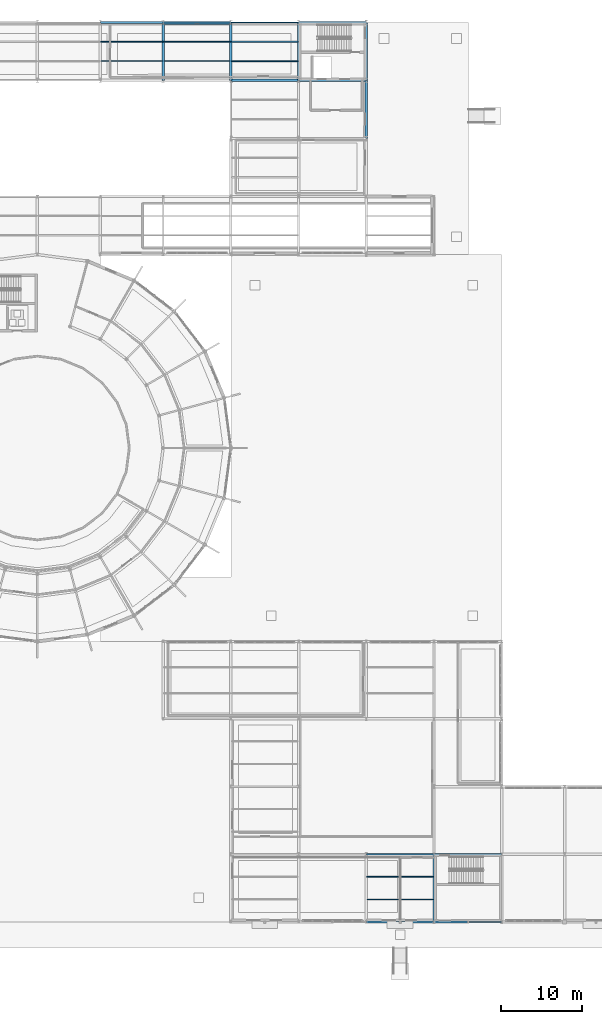
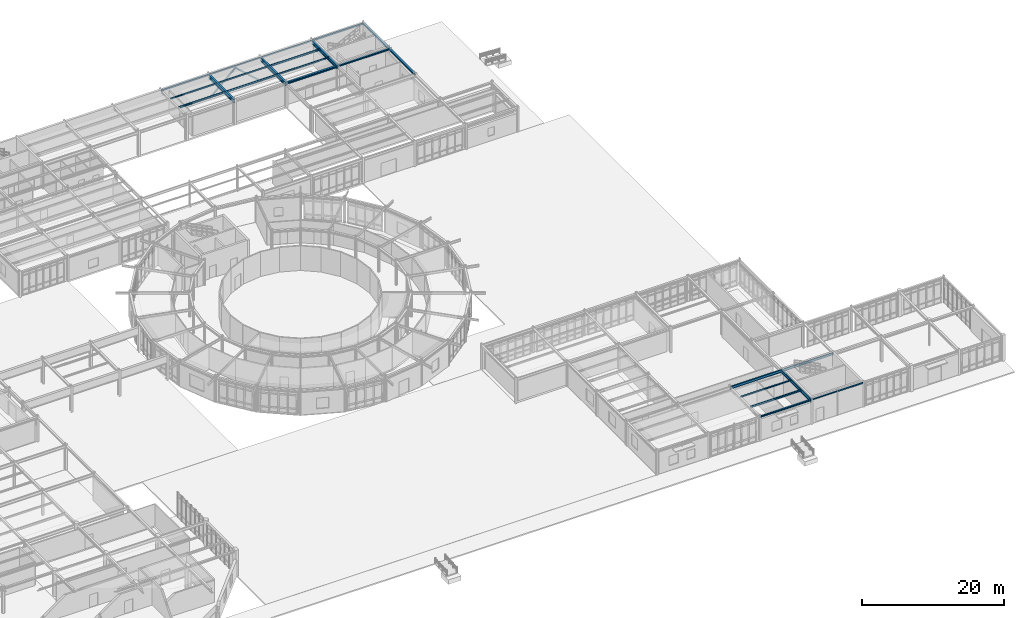
# One storey, part 50 of 101: 25 beams, 2 members.
"""IFC4 building model written with IfcOpenShell, lengths in metres."""

from ifc_helpers import new_model, si_unit, derived_unit, direction, frame, origin, origin_2d, place, context, subcontext, project, spatial, hollow_rectangle, i_section, extrude, material, material_profile, profile_set, type_object, element, save


model = new_model("IFC4")

# Units and contexts
model_context = context("Model", 3, precision=1e-05, world=origin(), true_north=direction((0.0, 1.0)))
body_context = subcontext(model_context, "Body", "Model", "MODEL_VIEW")
ifc_project = project(units=[si_unit("LENGTHUNIT", "METRE"), si_unit("AREAUNIT", "SQUARE_METRE"), si_unit("VOLUMEUNIT", "CUBIC_METRE"), si_unit("PLANEANGLEUNIT", "RADIAN"), si_unit("MASSUNIT", "GRAM", prefix="KILO"), derived_unit("THERMALTRANSMITTANCEUNIT", [(si_unit("POWERUNIT", "WATT"), 1), (si_unit("AREAUNIT", "SQUARE_METRE"), -1), (si_unit("THERMODYNAMICTEMPERATUREUNIT", "KELVIN"), -1)])], contexts=[model_context])

# Site, building, storey
site_placement = place(None, origin())
site = spatial("IfcSite", under=ifc_project, at=site_placement, CompositionType="ELEMENT")
building_placement = place(site_placement, origin())
building = spatial("IfcBuilding", under=site, at=building_placement, Name="Yasenodar Specialist Clinic", CompositionType="ELEMENT")
storey_placement = place(building_placement, origin())
storey = spatial("IfcBuildingStorey", under=building, at=storey_placement, Name="L00", CompositionType="ELEMENT", Elevation=0.0)

# Beams
ifc_material = material(Name="Steel S355", Category="steel")
ifc_material_profile_1 = material_profile(ifc_material, i_section(OverallWidth=0.280029296875, OverallDepth=0.27001953125, WebThickness=0.008056640625, FlangeThickness=0.012939453125, FilletRadius=0.02392578125, at=origin_2d()), Name="HEA 280")
ifc_profile_set_1 = profile_set([ifc_material_profile_1], Name="Steel S355")
beam_type_1 = type_object("IfcBeamType", Name="BM-HEA280", PredefinedType="BEAM", material=ifc_profile_set_1)
beam_1_placement = place(storey_placement, frame((113.39990234375, 104.39990234375, 4.114990234375), z_axis=(1.0, 0.0, 0.0), x_axis=(0.0, 1.0, 0.0)))
element("IfcBeam", 1, at=beam_1_placement, inside=storey, type_object=beam_type_1, Name="L00 Primary E-W Girder", PredefinedType="BEAM", context=body_context, shape_type="SweptSolid", body=[
    extrude(i_section(OverallWidth=0.280029296875, OverallDepth=0.27001953125, WebThickness=0.008056640625, FlangeThickness=0.012939453125, FilletRadius=0.02392578125, at=origin_2d()), origin(), (0.0, 0.0, 1.0), 8.400146484375),
])
ifc_material_profile_2 = material_profile(ifc_material, i_section(OverallWidth=0.300048828125, OverallDepth=0.2900390625, WebThickness=0.008544921875, FlangeThickness=0.013916015625, FilletRadius=0.027099609375, at=origin_2d()), Name="HEA 300")
ifc_profile_set_2 = profile_set([ifc_material_profile_2], Name="Steel S355")
beam_type_2 = type_object("IfcBeamType", Name="BM-HEA300", PredefinedType="BEAM", material=ifc_profile_set_2)
beam_2_placement = place(storey_placement, frame((121.800048828125, 104.39990234375, 4.10498046875), z_axis=(0.0, 1.0, 0.0), x_axis=(-1.0, 0.0, 0.0)))
element("IfcBeam", 2, at=beam_2_placement, inside=storey, type_object=beam_type_2, Name="L00 Primary N-S Girder", PredefinedType="BEAM", context=body_context, shape_type="SweptSolid", body=[
    extrude(i_section(OverallWidth=0.300048828125, OverallDepth=0.2900390625, WebThickness=0.008544921875, FlangeThickness=0.013916015625, FilletRadius=0.027099609375, at=origin_2d()), origin(), (0.0, 0.0, 1.0), 7.2001953125),
])
ifc_material_profile_3 = material_profile(ifc_material, i_section(OverallWidth=0.300048828125, OverallDepth=0.330078125, WebThickness=0.009521484375, FlangeThickness=0.0166015625, FilletRadius=0.027099609375, at=origin_2d()), Name="HEA 340")
ifc_profile_set_3 = profile_set([ifc_material_profile_3], Name="Steel S355")
beam_type_3 = type_object("IfcBeamType", Name="BM-HEA340", PredefinedType="BEAM", material=ifc_profile_set_3)
beam_3_placement = place(storey_placement, frame((105.0, 104.39990234375, 4.0849609375), z_axis=(1.0, 0.0, 0.0), x_axis=(0.0, 1.0, 0.0)))
element("IfcBeam", 3, at=beam_3_placement, inside=storey, type_object=beam_type_3, Name="L00 Primary E-W Girder", PredefinedType="BEAM", context=body_context, shape_type="SweptSolid", body=[
    extrude(i_section(OverallWidth=0.300048828125, OverallDepth=0.330078125, WebThickness=0.009521484375, FlangeThickness=0.0166015625, FilletRadius=0.027099609375, at=origin_2d()), origin(), (0.0, 0.0, 1.0), 8.39990234375),
])
ifc_material_profile_4 = material_profile(ifc_material, i_section(OverallWidth=0.280029296875, OverallDepth=0.280029296875, WebThickness=0.010498046875, FlangeThickness=0.01806640625, FilletRadius=0.02392578125, at=origin_2d()), Name="HEB 280")
ifc_profile_set_4 = profile_set([ifc_material_profile_4], Name="Steel S355")
beam_type_4 = type_object("IfcBeamType", Name="BM-HEB280", PredefinedType="BEAM", material=ifc_profile_set_4)
beam_4_placement = place(storey_placement, frame((121.800048828125, 97.199951171875, 4.110107421875), z_axis=(0.0, 1.0, 0.0), x_axis=(-1.0, 0.0, 0.0)))
element("IfcBeam", 4, at=beam_4_placement, inside=storey, type_object=beam_type_4, Name="L00 Primary N-S Girder", PredefinedType="BEAM", context=body_context, shape_type="SweptSolid", body=[
    extrude(i_section(OverallWidth=0.280029296875, OverallDepth=0.280029296875, WebThickness=0.010498046875, FlangeThickness=0.01806640625, FilletRadius=0.02392578125, at=origin_2d()), origin(), (0.0, 0.0, 1.0), 7.199951171875),
])
ifc_material_profile_5 = material_profile(ifc_material, i_section(OverallWidth=0.300048828125, OverallDepth=0.60009765625, WebThickness=0.015380859375, FlangeThickness=0.030029296875, FilletRadius=0.027099609375, at=origin_2d()), Name="HEB 600")
ifc_profile_set_5 = profile_set([ifc_material_profile_5], Name="Steel S355")
beam_type_5 = type_object("IfcBeamType", Name="BM-HEB600", PredefinedType="BEAM", material=ifc_profile_set_5)
for number, where, z_axis, x_axis, name in (
    (5, (96.60009765625, 104.39990234375, 3.949951171875), (0.0, 1.0, 0.0), (-1.0, 0.0, 0.0), "L00 Primary N-S Girder"),
    (6, (105.0, 104.39990234375, 3.949951171875), (0.0, 1.0, 0.0), (-1.0, 0.0, 0.0), "L00 Primary N-S Girder"),
    (7, (113.39990234375, 104.39990234375, 3.949951171875), (0.0, 1.0, 0.0), (-1.0, 0.0, 0.0), "L00 Primary N-S Girder"),
):
    element("IfcBeam", number, at=place(storey_placement, frame(where, z_axis=z_axis, x_axis=x_axis)), inside=storey, type_object=beam_type_5, Name=name, PredefinedType="BEAM", context=body_context, shape_type="SweptSolid", body=[
        extrude(i_section(OverallWidth=0.300048828125, OverallDepth=0.60009765625, WebThickness=0.015380859375, FlangeThickness=0.030029296875, FilletRadius=0.027099609375, at=origin_2d()), origin(), (0.0, 0.0, 1.0), 7.2001953125),
    ])
ifc_material_profile_6 = material_profile(ifc_material, i_section(OverallWidth=0.179931640625, OverallDepth=0.39990234375, WebThickness=0.008544921875, FlangeThickness=0.013427734375, FilletRadius=0.02099609375, at=origin_2d()), Name="IPE 400")
ifc_profile_set_6 = profile_set([ifc_material_profile_6], Name="Steel S355")
beam_type_6 = type_object("IfcBeamType", Name="BM-IPE400", PredefinedType="BEAM", material=ifc_profile_set_6)
beam_5_placement = place(storey_placement, frame((130.199951171875, 8.39990234375, 4.050048828125), z_axis=(1.0, 0.0, 0.0), x_axis=(0.0, 1.0, 0.0)))
element("IfcBeam", 8, at=beam_5_placement, inside=storey, type_object=beam_type_6, Name="L00 Primary E-W Girder", PredefinedType="BEAM", context=body_context, shape_type="SweptSolid", body=[
    extrude(i_section(OverallWidth=0.179931640625, OverallDepth=0.39990234375, WebThickness=0.008544921875, FlangeThickness=0.013427734375, FilletRadius=0.02099609375, at=origin_2d()), origin(), (0.0, 0.0, 1.0), 8.400146484375),
])
ifc_material_profile_7 = material_profile(ifc_material, i_section(OverallWidth=0.18994140625, OverallDepth=0.449951171875, WebThickness=0.009521484375, FlangeThickness=0.0146484375, FilletRadius=0.02099609375, at=origin_2d()), Name="IPE 450")
ifc_profile_set_7 = profile_set([ifc_material_profile_7], Name="Steel S355")
beam_type_7 = type_object("IfcBeamType", Name="BM-IPE450", PredefinedType="BEAM", material=ifc_profile_set_7)
beam_6_placement = place(storey_placement, frame((121.800048828125, 8.39990234375, 4.02490234375), z_axis=(1.0, 0.0, 0.0), x_axis=(0.0, 1.0, 0.0)))
element("IfcBeam", 9, at=beam_6_placement, inside=storey, type_object=beam_type_7, Name="L00 Primary E-W Girder", PredefinedType="BEAM", context=body_context, shape_type="SweptSolid", body=[
    extrude(i_section(OverallWidth=0.18994140625, OverallDepth=0.449951171875, WebThickness=0.009521484375, FlangeThickness=0.0146484375, FilletRadius=0.02099609375, at=origin_2d()), origin(), (0.0, 0.0, 1.0), 8.39990234375),
])
ifc_material_profile_8 = material_profile(ifc_material, i_section(OverallWidth=0.2099609375, OverallDepth=0.550048828125, WebThickness=0.010986328125, FlangeThickness=0.01708984375, FilletRadius=0.02392578125, at=origin_2d()), Name="IPE 550")
ifc_profile_set_8 = profile_set([ifc_material_profile_8], Name="Steel S355")
beam_type_8 = type_object("IfcBeamType", Name="BM-IPE550", PredefinedType="BEAM", material=ifc_profile_set_8)
beam_7_placement = place(storey_placement, frame((130.199951171875, 0.0, 3.97509765625), z_axis=(0.0, 1.0, 0.0), x_axis=(-1.0, 0.0, 0.0)))
element("IfcBeam", 10, at=beam_7_placement, inside=storey, type_object=beam_type_8, Name="L00 Primary N-S Girder", PredefinedType="BEAM", context=body_context, shape_type="SweptSolid", body=[
    extrude(i_section(OverallWidth=0.2099609375, OverallDepth=0.550048828125, WebThickness=0.010986328125, FlangeThickness=0.01708984375, FilletRadius=0.02392578125, at=origin_2d()), origin(), (0.0, 0.0, 1.0), 8.39990234375),
])

# Members
ifc_material_profile_9 = material_profile(ifc_material, hollow_rectangle(XDim=0.219970703125, YDim=0.219970703125, WallThickness=0.012451171875, InnerFilletRadius=0.018798828125, OuterFilletRadius=0.03125, at=origin_2d()), Name="SHS 220x220x12.5")
ifc_profile_set_9 = profile_set([ifc_material_profile_9], Name="Steel S355")
member_type = type_object("IfcMemberType", Name="BR-LAT-SHS220", PredefinedType="BRACE", material=ifc_profile_set_9)
for number, where, z_axis, x_axis, name in (
    (11, (96.60009765625, 111.425048828125, 0.14990234375), (0.741527609628, 0.0, 0.670922353302), (0.0, 1.0, 0.0), "L00 Lateral Chevron Brace 11A"),
    (12, (105.0, 111.425048828125, 0.14990234375), (-0.741527609628, 0.0, 0.670922353302), (0.0, -1.0, 0.0), "L00 Lateral Chevron Brace 11B"),
):
    element("IfcMember", number, at=place(storey_placement, frame(where, z_axis=z_axis, x_axis=x_axis)), inside=storey, type_object=member_type, Name=name, PredefinedType="BRACE", context=body_context, shape_type="SweptSolid", body=[
        extrude(hollow_rectangle(XDim=0.219970703125, YDim=0.219970703125, WallThickness=0.012451171875, InnerFilletRadius=0.018798828125, OuterFilletRadius=0.03125, at=origin_2d()), origin(), (0.0, 0.0, 1.0), 5.663818359375),
    ])

# Beams
ifc_material_profile_10 = material_profile(ifc_material, i_section(OverallWidth=0.10009765625, OverallDepth=0.199951171875, WebThickness=0.005615234375, FlangeThickness=0.008544921875, FilletRadius=0.011962890625, at=origin_2d()), Name="IPE 200")
ifc_profile_set_10 = profile_set([ifc_material_profile_10], Name="Steel S355")
beam_type_9 = type_object("IfcBeamType", Name="JS-IPE200", PredefinedType="JOIST", material=ifc_profile_set_10)
beam_8_placement = place(storey_placement, frame((105.080078125, 106.800048828125, 4.14990234375), z_axis=(1.0, 0.0, 0.0), x_axis=(0.0, 1.0, 0.0)))
element("IfcBeam", 13, at=beam_8_placement, inside=storey, type_object=beam_type_9, Name="L00 Composite Floor Joist", PredefinedType="JOIST", context=body_context, shape_type="SweptSolid", body=[
    extrude(i_section(OverallWidth=0.10009765625, OverallDepth=0.199951171875, WebThickness=0.005615234375, FlangeThickness=0.008544921875, FilletRadius=0.011962890625, at=origin_2d()), origin(), (0.0, 0.0, 1.0), 8.239990234375),
])
ifc_material_profile_11 = material_profile(ifc_material, i_section(OverallWidth=0.1201171875, OverallDepth=0.239990234375, WebThickness=0.006103515625, FlangeThickness=0.009765625, FilletRadius=0.014892578125, at=origin_2d()), Name="IPE 240")
ifc_profile_set_11 = profile_set([ifc_material_profile_11], Name="Steel S355")
beam_type_10 = type_object("IfcBeamType", Name="JS-IPE240", PredefinedType="JOIST", material=ifc_profile_set_11)
beam_9_placement = place(storey_placement, frame((88.8798828125, 109.199951171875, 4.1298828125), z_axis=(1.0, 0.0, 0.0), x_axis=(0.0, 1.0, 0.0)))
element("IfcBeam", 14, at=beam_9_placement, inside=storey, type_object=beam_type_10, Name="L00 Composite Floor Joist", PredefinedType="JOIST", context=body_context, shape_type="SweptSolid", body=[
    extrude(i_section(OverallWidth=0.1201171875, OverallDepth=0.239990234375, WebThickness=0.006103515625, FlangeThickness=0.009765625, FilletRadius=0.014892578125, at=origin_2d()), origin(), (0.0, 0.0, 1.0), 7.64013671875),
])
beam_10_placement = place(storey_placement, frame((96.679931640625, 109.199951171875, 4.1298828125), z_axis=(1.0, 0.0, 0.0), x_axis=(0.0, 1.0, 0.0)))
element("IfcBeam", 15, at=beam_10_placement, inside=storey, type_object=beam_type_10, Name="L00 Composite Floor Joist", PredefinedType="JOIST", context=body_context, shape_type="SweptSolid", body=[
    extrude(i_section(OverallWidth=0.1201171875, OverallDepth=0.239990234375, WebThickness=0.006103515625, FlangeThickness=0.009765625, FilletRadius=0.014892578125, at=origin_2d()), origin(), (0.0, 0.0, 1.0), 8.239990234375),
])
beam_11_placement = place(storey_placement, frame((121.8798828125, 5.60009765625, 4.1298828125), z_axis=(1.0, 0.0, 0.0), x_axis=(0.0, 1.0, 0.0)))
element("IfcBeam", 16, at=beam_11_placement, inside=storey, type_object=beam_type_10, Name="L00 Composite Floor Joist", PredefinedType="JOIST", context=body_context, shape_type="SweptSolid", body=[
    extrude(i_section(OverallWidth=0.1201171875, OverallDepth=0.239990234375, WebThickness=0.006103515625, FlangeThickness=0.009765625, FilletRadius=0.014892578125, at=origin_2d()), origin(), (0.0, 0.0, 1.0), 8.240234375),
])
ifc_material_profile_12 = material_profile(ifc_material, i_section(OverallWidth=0.14990234375, OverallDepth=0.300048828125, WebThickness=0.007080078125, FlangeThickness=0.0107421875, FilletRadius=0.014892578125, at=origin_2d()), Name="IPE 300")
ifc_profile_set_12 = profile_set([ifc_material_profile_12], Name="Steel S355")
beam_type_11 = type_object("IfcBeamType", Name="JS-IPE300", PredefinedType="JOIST", material=ifc_profile_set_12)
beam_12_placement = place(storey_placement, frame((88.8798828125, 106.800048828125, 4.10009765625), z_axis=(1.0, 0.0, 0.0), x_axis=(0.0, 1.0, 0.0)))
element("IfcBeam", 17, at=beam_12_placement, inside=storey, type_object=beam_type_11, Name="L00 Composite Floor Joist", PredefinedType="JOIST", context=body_context, shape_type="SweptSolid", body=[
    extrude(i_section(OverallWidth=0.14990234375, OverallDepth=0.300048828125, WebThickness=0.007080078125, FlangeThickness=0.0107421875, FilletRadius=0.014892578125, at=origin_2d()), origin(), (0.0, 0.0, 1.0), 7.64013671875),
])
for number, where, z_axis, x_axis, name in (
    (18, (96.679931640625, 106.800048828125, 4.10009765625), (1.0, 0.0, 0.0), (0.0, 1.0, 0.0), "L00 Composite Floor Joist"),
    (19, (105.080078125, 109.199951171875, 4.10009765625), (1.0, 0.0, 0.0), (0.0, 1.0, 0.0), "L00 Composite Floor Joist"),
):
    element("IfcBeam", number, at=place(storey_placement, frame(where, z_axis=z_axis, x_axis=x_axis)), inside=storey, type_object=beam_type_11, Name=name, PredefinedType="JOIST", context=body_context, shape_type="SweptSolid", body=[
        extrude(i_section(OverallWidth=0.14990234375, OverallDepth=0.300048828125, WebThickness=0.007080078125, FlangeThickness=0.0107421875, FilletRadius=0.014892578125, at=origin_2d()), origin(), (0.0, 0.0, 1.0), 8.239990234375),
    ])
beam_13_placement = place(storey_placement, frame((121.8798828125, 2.800048828125, 4.10009765625), z_axis=(1.0, 0.0, 0.0), x_axis=(0.0, 1.0, 0.0)))
element("IfcBeam", 20, at=beam_13_placement, inside=storey, type_object=beam_type_11, Name="L00 Composite Floor Joist", PredefinedType="JOIST", context=body_context, shape_type="SweptSolid", body=[
    extrude(i_section(OverallWidth=0.14990234375, OverallDepth=0.300048828125, WebThickness=0.007080078125, FlangeThickness=0.0107421875, FilletRadius=0.014892578125, at=origin_2d()), origin(), (0.0, 0.0, 1.0), 8.240234375),
])
ifc_material_profile_13 = material_profile(ifc_material, i_section(OverallWidth=0.199951171875, OverallDepth=0.18994140625, WebThickness=0.006591796875, FlangeThickness=0.010009765625, FilletRadius=0.01806640625, at=origin_2d()), Name="HEA 200")
ifc_profile_set_13 = profile_set([ifc_material_profile_13], Name="Steel S355")
beam_type_12 = type_object("IfcBeamType", Name="SP-HEA200", PredefinedType="SPANDREL", material=ifc_profile_set_13)
beam_14_placement = place(storey_placement, frame((130.199951171875, 0.0, 4.155029296875), z_axis=(1.0, 0.0, 0.0), x_axis=(0.0, 1.0, 0.0)))
element("IfcBeam", 21, at=beam_14_placement, inside=storey, type_object=beam_type_12, Name="L00 Perimeter Spandrel Beam", PredefinedType="SPANDREL", context=body_context, shape_type="SweptSolid", body=[
    extrude(i_section(OverallWidth=0.199951171875, OverallDepth=0.18994140625, WebThickness=0.006591796875, FlangeThickness=0.010009765625, FilletRadius=0.01806640625, at=origin_2d()), origin(), (0.0, 0.0, 1.0), 4.199951171875),
])
beam_15_placement = place(storey_placement, frame((96.60009765625, 111.60009765625, 4.155029296875), z_axis=(1.0, 0.0, 0.0), x_axis=(0.0, 1.0, 0.0)))
element("IfcBeam", 22, at=beam_15_placement, inside=storey, type_object=beam_type_12, Name="L00 Perimeter Spandrel Beam", PredefinedType="SPANDREL", context=body_context, shape_type="SweptSolid", body=[
    extrude(i_section(OverallWidth=0.199951171875, OverallDepth=0.18994140625, WebThickness=0.006591796875, FlangeThickness=0.010009765625, FilletRadius=0.01806640625, at=origin_2d()), origin(), (0.0, 0.0, 1.0), 8.39990234375),
])
ifc_material_profile_14 = material_profile(ifc_material, i_section(OverallWidth=0.239990234375, OverallDepth=0.22998046875, WebThickness=0.007568359375, FlangeThickness=0.011962890625, FilletRadius=0.02099609375, at=origin_2d()), Name="HEA 240")
ifc_profile_set_14 = profile_set([ifc_material_profile_14], Name="Steel S355")
beam_type_13 = type_object("IfcBeamType", Name="SP-HEA240", PredefinedType="SPANDREL", material=ifc_profile_set_14)
beam_16_placement = place(storey_placement, frame((121.800048828125, 0.0, 4.135009765625), z_axis=(1.0, 0.0, 0.0), x_axis=(0.0, 1.0, 0.0)))
element("IfcBeam", 23, at=beam_16_placement, inside=storey, type_object=beam_type_13, Name="L00 Perimeter Spandrel Beam", PredefinedType="SPANDREL", context=body_context, shape_type="SweptSolid", body=[
    extrude(i_section(OverallWidth=0.239990234375, OverallDepth=0.22998046875, WebThickness=0.007568359375, FlangeThickness=0.011962890625, FilletRadius=0.02099609375, at=origin_2d()), origin(), (0.0, 0.0, 1.0), 8.39990234375),
])
beam_17_placement = place(storey_placement, frame((88.800048828125, 111.60009765625, 4.135009765625), z_axis=(1.0, 0.0, 0.0), x_axis=(0.0, 1.0, 0.0)))
element("IfcBeam", 24, at=beam_17_placement, inside=storey, type_object=beam_type_13, Name="L00 Perimeter Spandrel Beam", PredefinedType="SPANDREL", context=body_context, shape_type="SweptSolid", body=[
    extrude(i_section(OverallWidth=0.239990234375, OverallDepth=0.22998046875, WebThickness=0.007568359375, FlangeThickness=0.011962890625, FilletRadius=0.02099609375, at=origin_2d()), origin(), (0.0, 0.0, 1.0), 7.800048828125),
])
beam_18_placement = place(storey_placement, frame((113.39990234375, 111.60009765625, 4.135009765625), z_axis=(1.0, 0.0, 0.0), x_axis=(0.0, 1.0, 0.0)))
element("IfcBeam", 25, at=beam_18_placement, inside=storey, type_object=beam_type_13, Name="L00 Perimeter Spandrel Beam", PredefinedType="SPANDREL", context=body_context, shape_type="SweptSolid", body=[
    extrude(i_section(OverallWidth=0.239990234375, OverallDepth=0.22998046875, WebThickness=0.007568359375, FlangeThickness=0.011962890625, FilletRadius=0.02099609375, at=origin_2d()), origin(), (0.0, 0.0, 1.0), 8.400146484375),
])
ifc_material_profile_15 = material_profile(ifc_material, hollow_rectangle(XDim=0.14990234375, YDim=0.25, WallThickness=0.010009765625, InnerFilletRadius=0.014892578125, OuterFilletRadius=0.02490234375, at=origin_2d()), Name="RHS 250x150x10")
ifc_profile_set_15 = profile_set([ifc_material_profile_15], Name="Steel S355")
beam_type_14 = type_object("IfcBeamType", Name="SP-RHS250", PredefinedType="SPANDREL", material=ifc_profile_set_15)
beam_19_placement = place(storey_placement, frame((134.39990234375, 0.0, 4.125), z_axis=(1.0, 0.0, 0.0), x_axis=(0.0, 1.0, 0.0)))
element("IfcBeam", 26, at=beam_19_placement, inside=storey, type_object=beam_type_14, Name="L00 Perimeter Spandrel Beam", PredefinedType="SPANDREL", context=body_context, shape_type="SweptSolid", body=[
    extrude(hollow_rectangle(XDim=0.14990234375, YDim=0.25, WallThickness=0.010009765625, InnerFilletRadius=0.014892578125, OuterFilletRadius=0.02490234375, at=origin_2d()), origin(), (0.0, 0.0, 1.0), 4.2001953125),
])
beam_20_placement = place(storey_placement, frame((105.0, 111.60009765625, 4.125), z_axis=(1.0, 0.0, 0.0), x_axis=(0.0, 1.0, 0.0)))
element("IfcBeam", 27, at=beam_20_placement, inside=storey, type_object=beam_type_14, Name="L00 Perimeter Spandrel Beam", PredefinedType="SPANDREL", context=body_context, shape_type="SweptSolid", body=[
    extrude(hollow_rectangle(XDim=0.14990234375, YDim=0.25, WallThickness=0.010009765625, InnerFilletRadius=0.014892578125, OuterFilletRadius=0.02490234375, at=origin_2d()), origin(), (0.0, 0.0, 1.0), 8.39990234375),
])

save(model, "model.ifc")
